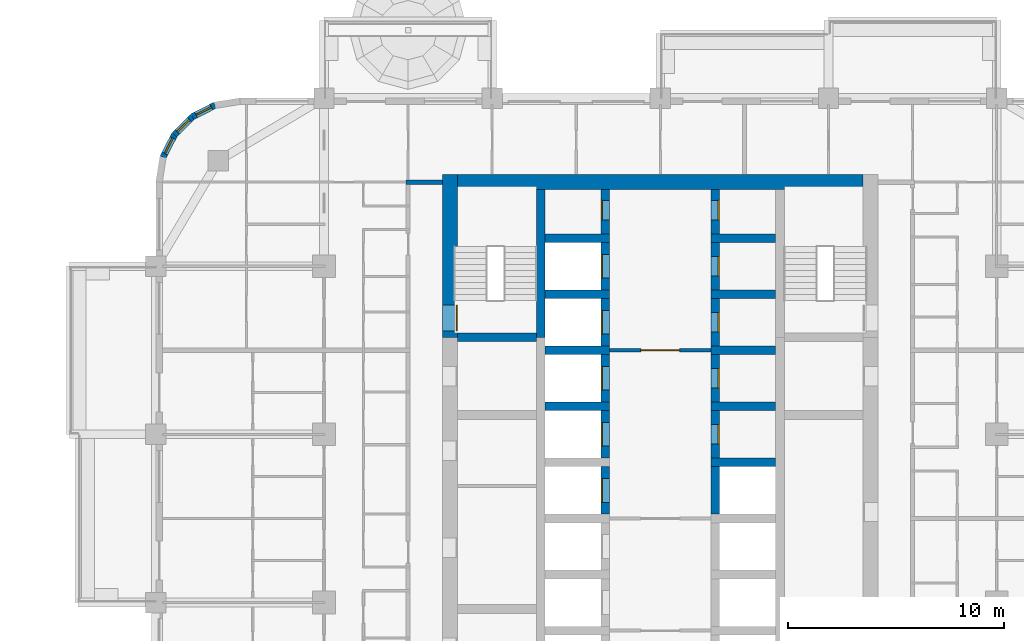
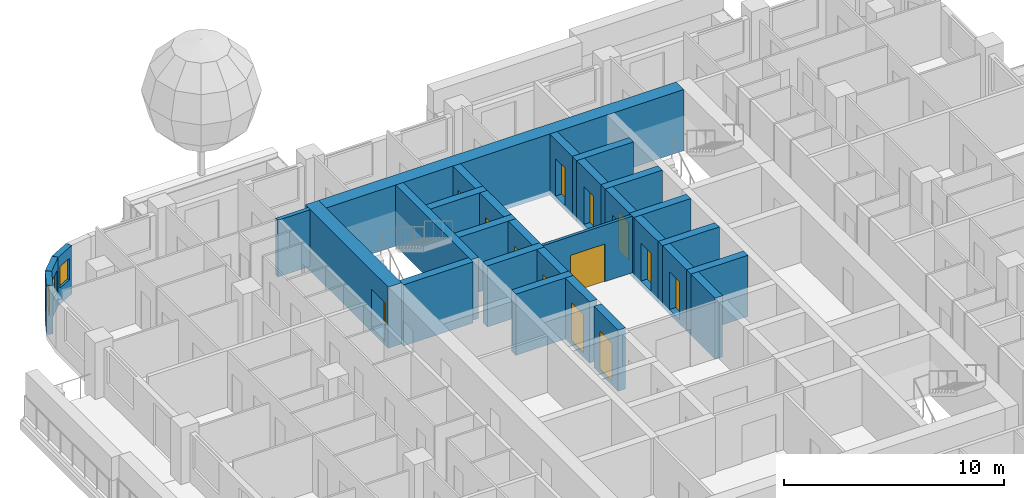
# One storey, part 11 of 19: 30 walls, 13 doors, 3 windows, 16 openings.
"""IFC4 building model written with IfcOpenShell, lengths in metres."""

from ifc_helpers import new_model, si_unit, direction, frame, frame_2d, origin, place, context, subcontext, project, spatial, rectangle, extrude, material, layer, layer_set, type_object, element, fill, save


model = new_model("IFC4")

# Units and contexts
model_context = context("Model", 3, precision=1e-05, world=origin(), true_north=direction((0.0, 1.0)))
body_context = subcontext(model_context, "Body", "Model", "MODEL_VIEW")
ifc_project = project(units=[si_unit("LENGTHUNIT", "METRE"), si_unit("AREAUNIT", "SQUARE_METRE"), si_unit("VOLUMEUNIT", "CUBIC_METRE"), si_unit("PLANEANGLEUNIT", "RADIAN"), si_unit("MASSUNIT", "GRAM", prefix="KILO")], contexts=[model_context])

# Site, building, storey
site_placement = place(None, origin())
site = spatial("IfcSite", under=ifc_project, at=site_placement, CompositionType="ELEMENT")
building_placement = place(site_placement, origin())
building = spatial("IfcBuilding", under=site, at=building_placement, Name="Ludao Terraces", CompositionType="ELEMENT")
storey_placement = place(building_placement, frame((0.0, 0.0, 81.800048828125)))
storey = spatial("IfcBuildingStorey", under=building, at=storey_placement, Name="L22", CompositionType="ELEMENT", Elevation=81.800048828125)

# Wall, opening, door
ifc_material_1 = material(Name="Concrete C70", Category="concrete")
ifc_layer_1 = layer(ifc_material_1, 0.699951171875)
ifc_layer_set_1 = layer_set([ifc_layer_1], Name="Core wall 700 C70")
wall_type_1 = type_object("IfcWallType", Name="Core wall 700 C70", PredefinedType="SOLIDWALL", material=ifc_layer_set_1)
wall_1_placement = place(storey_placement, frame((75.25, 77.300048828125, -0.25), z_axis=(0.0, 0.0, 1.0), x_axis=(0.0, 1.0, 0.0)))
wall_1 = element("IfcWall", 1, at=wall_1_placement, inside=storey, type_object=wall_type_1, Name="Core wall L22 outer-W-S1", PredefinedType="SOLIDWALL", context=body_context, shape_type="SweptSolid", body=[
    extrude(rectangle(XDim=7.550048828125, YDim=0.699951171875, at=frame_2d((3.77490234375, 0.0))), origin(), (0.0, 0.0, 1.0), 3.39990234375),
])
opening_1_placement = place(wall_1_placement, frame((0.300048828125, 0.0, 0.25)))
opening_1 = element("IfcOpeningElement", 2, at=opening_1_placement, cuts=wall_1, Name="Opening R06-131", PredefinedType="OPENING", context=body_context, shape_type="SweptSolid", body=[
    extrude(rectangle(XDim=1.199951171875, YDim=2.10009765625, at=frame_2d((0.60009765625, 1.050048828125))), frame((0.0, 0.35986328125, 0.0), z_axis=(0.0, -1.0, 0.0), x_axis=(1.0, 0.0, 0.0)), (0.0, 0.0, 1.0), 0.719970703125),
])
ifc_material_2 = material(Name="Steel Q235", Category="steel")
door_type_1 = type_object("IfcDoorType", Name="INT Stair door 1200", OperationType="DOUBLE_DOOR_SINGLE_SWING", PredefinedType="DOOR", material=ifc_material_2)
door_1_placement = place(opening_1_placement, origin())
door_1 = element("IfcDoor", 3, at=door_1_placement, inside=storey, type_object=door_type_1, Name="DOOR 131", OperationType="DOUBLE_DOOR_SINGLE_SWING", OverallHeight=2.10009765625, OverallWidth=1.199951171875, PredefinedType="DOOR", context=body_context, shape_type="SweptSolid", body=[
    extrude(rectangle(XDim=1.199951171875, YDim=2.10009765625, at=frame_2d((0.60009765625, 1.050048828125))), frame((0.0, -0.28515625, 0.0), z_axis=(0.0, -1.0, 0.0), x_axis=(1.0, 0.0, 0.0)), (0.0, 0.0, 1.0), 0.050048828125),
])
fill(opening_1, door_1)

# Wall
wall_2_placement = place(storey_placement, frame((75.60009765625, 84.5, -0.25), z_axis=(0.0, 0.0, 1.0), x_axis=(1.0, 0.0, 0.0)))
element("IfcWall", 4, at=wall_2_placement, inside=storey, type_object=wall_type_1, Name="Core wall L22 outer-N", PredefinedType="SOLIDWALL", context=body_context, shape_type="SweptSolid", body=[
    extrude(rectangle(XDim=18.7998046875, YDim=0.699951171875, at=frame_2d((9.39990234375, 0.0))), origin(), (0.0, 0.0, 1.0), 3.39990234375),
])

# Wall, opening, window
ifc_material_3 = material(Name="Granite cladding", Category="masonry")
ifc_layer_2 = layer(ifc_material_3, 0.0400390625, Category="stone")
ifc_material_4 = material(Name="Mineral wool")
ifc_layer_3 = layer(ifc_material_4, 0.06005859375)
ifc_material_5 = material(Name="Concrete C40", Category="concrete")
ifc_layer_4 = layer(ifc_material_5, 0.199951171875, Category="concrete")
ifc_layer_set_2 = layer_set([ifc_layer_2, ifc_layer_3, ifc_layer_4], Name="ENV Stone-clad wall 300")
wall_type_2 = type_object("IfcWallType", Name="ENV Stone-clad wall 300", PredefinedType="SOLIDWALL", material=ifc_layer_set_2)
wall_3_placement = place(storey_placement, frame((64.34130859375, 88.06640625, 0.0), z_axis=(0.0, 0.0, 1.0), x_axis=(-0.890988677504, -0.454025524128, 0.0)))
wall_3 = element("IfcWall", 5, at=wall_3_placement, inside=storey, type_object=wall_type_2, Name="EW-L22-NW2", PredefinedType="SOLIDWALL", context=body_context, shape_type="SweptSolid", body=[
    extrude(rectangle(XDim=1.17333984375, YDim=0.300048828125, at=frame_2d((0.586669921875, 0.0))), origin(), (0.0, 0.0, 1.0), 2.699951171875),
])
opening_2_placement = place(wall_3_placement, frame((0.1865234375, 0.0, 0.89990234375)))
opening_2 = element("IfcOpeningElement", 6, at=opening_2_placement, cuts=wall_3, Name="Opening W3", PredefinedType="OPENING", context=body_context, shape_type="SweptSolid", body=[
    extrude(rectangle(XDim=0.800048828125, YDim=1.199951171875, at=frame_2d((0.39990234375, 0.60009765625))), frame((0.0, 0.16015625, 0.0), z_axis=(0.0, -1.0, 0.0), x_axis=(1.0, 0.0, 0.0)), (0.0, 0.0, 1.0), 0.320068359375),
])
ifc_material_6 = material(Name="Clear glass in aluminium frame", Category="aluminium")
ifc_layer_5 = layer(ifc_material_6, 0.06005859375)
ifc_layer_set_3 = layer_set([ifc_layer_5], Name="ENV Window W3 800x1200")
window_type = type_object("IfcWindowType", Name="ENV Window W3 800x1200", PartitioningType="SINGLE_PANEL", PredefinedType="WINDOW", material=ifc_layer_set_3)
window_1_placement = place(opening_2_placement, origin())
window_1 = element("IfcWindow", 7, at=window_1_placement, inside=storey, type_object=window_type, Name="W-L22-NW2", OverallHeight=1.199951171875, OverallWidth=0.800048828125, PartitioningType="SINGLE_PANEL", PredefinedType="WINDOW", context=body_context, shape_type="SweptSolid", body=[
    extrude(rectangle(XDim=0.800048828125, YDim=1.199951171875, at=frame_2d((0.39990234375, 0.60009765625))), frame((0.0, 0.030029296875, 0.0), z_axis=(0.0, -1.0, 0.0), x_axis=(1.0, 0.0, 0.0)), (0.0, 0.0, 1.0), 0.06005859375),
])
fill(opening_2, window_1)

wall_4_placement = place(storey_placement, frame((63.2958984375, 87.53369140625, 0.0), z_axis=(0.0, 0.0, 1.0), x_axis=(-0.707106781187, -0.707106781187, 0.0)))
wall_4 = element("IfcWall", 8, at=wall_4_placement, inside=storey, type_object=wall_type_2, Name="EW-L22-NW3", PredefinedType="SOLIDWALL", context=body_context, shape_type="SweptSolid", body=[
    extrude(rectangle(XDim=1.173095703125, YDim=0.300048828125, at=frame_2d((0.58642578125, 0.0))), origin(), (0.0, 0.0, 1.0), 2.699951171875),
])
opening_3_placement = place(wall_4_placement, frame((0.1865234375, 0.0, 0.89990234375)))
opening_3 = element("IfcOpeningElement", 9, at=opening_3_placement, cuts=wall_4, Name="Opening W3", PredefinedType="OPENING", context=body_context, shape_type="SweptSolid", body=[
    extrude(rectangle(XDim=0.800048828125, YDim=1.199951171875, at=frame_2d((0.39990234375, 0.60009765625))), frame((0.0, 0.16015625, 0.0), z_axis=(0.0, -1.0, 0.0), x_axis=(1.0, 0.0, 0.0)), (0.0, 0.0, 1.0), 0.320068359375),
])
window_2_placement = place(opening_3_placement, origin())
window_2 = element("IfcWindow", 10, at=window_2_placement, inside=storey, type_object=window_type, Name="W-L22-NW3", OverallHeight=1.199951171875, OverallWidth=0.800048828125, PartitioningType="SINGLE_PANEL", PredefinedType="WINDOW", context=body_context, shape_type="SweptSolid", body=[
    extrude(rectangle(XDim=0.800048828125, YDim=1.199951171875, at=frame_2d((0.39990234375, 0.60009765625))), frame((0.0, 0.030029296875, 0.0), z_axis=(0.0, -1.0, 0.0), x_axis=(1.0, 0.0, 0.0)), (0.0, 0.0, 1.0), 0.06005859375),
])
fill(opening_3, window_2)

wall_5_placement = place(storey_placement, frame((62.46630859375, 86.7041015625, 0.0), z_axis=(0.0, 0.0, 1.0), x_axis=(-0.454025524128, -0.890988677504, 0.0)))
wall_5 = element("IfcWall", 11, at=wall_5_placement, inside=storey, type_object=wall_type_2, Name="EW-L22-NW4", PredefinedType="SOLIDWALL", context=body_context, shape_type="SweptSolid", body=[
    extrude(rectangle(XDim=1.17333984375, YDim=0.300048828125, at=frame_2d((0.586669921875, 0.0))), origin(), (0.0, 0.0, 1.0), 2.699951171875),
])
opening_4_placement = place(wall_5_placement, frame((0.1865234375, 0.0, 0.89990234375)))
opening_4 = element("IfcOpeningElement", 12, at=opening_4_placement, cuts=wall_5, Name="Opening W3", PredefinedType="OPENING", context=body_context, shape_type="SweptSolid", body=[
    extrude(rectangle(XDim=0.800048828125, YDim=1.199951171875, at=frame_2d((0.39990234375, 0.60009765625))), frame((0.0, 0.16015625, 0.0), z_axis=(0.0, -1.0, 0.0), x_axis=(1.0, 0.0, 0.0)), (0.0, 0.0, 1.0), 0.320068359375),
])
window_3_placement = place(opening_4_placement, origin())
window_3 = element("IfcWindow", 13, at=window_3_placement, inside=storey, type_object=window_type, Name="W-L22-NW4", OverallHeight=1.199951171875, OverallWidth=0.800048828125, PartitioningType="SINGLE_PANEL", PredefinedType="WINDOW", context=body_context, shape_type="SweptSolid", body=[
    extrude(rectangle(XDim=0.800048828125, YDim=1.199951171875, at=frame_2d((0.39990234375, 0.60009765625))), frame((0.0, 0.030029296875, 0.0), z_axis=(0.0, -1.0, 0.0), x_axis=(1.0, 0.0, 0.0)), (0.0, 0.0, 1.0), 0.06005859375),
])
fill(opening_4, window_3)

# Wall, opening, door
ifc_material_7 = material(Name="Fire-rated gypsum plasterboard", Category="gypsum")
ifc_layer_6 = layer(ifc_material_7, 0.012451171875, Category="gypsum")
ifc_layer_7 = layer(ifc_material_4, 0.10009765625, Name="insulation")
ifc_layer_8 = layer(ifc_material_2, 0.02490234375, Name="stud")
ifc_layer_9 = layer(ifc_material_7, 0.012451171875, Category="gypsum")
ifc_layer_set_4 = layer_set([ifc_layer_6, ifc_layer_7, ifc_layer_8, ifc_layer_9], Name="INT Core partition 150")
wall_type_3 = type_object("IfcWallType", Name="INT Core partition 150", PredefinedType="PARTITIONING", material=ifc_layer_set_4)
wall_6_placement = place(storey_placement, frame((82.650146484375, 76.699951171875, 0.0), z_axis=(0.0, 0.0, 1.0), x_axis=(1.0, 0.0, 0.0)))
wall_6 = element("IfcWall", 14, at=wall_6_placement, inside=storey, type_object=wall_type_3, Name="PW-L22-PW063", PredefinedType="PARTITIONING", context=body_context, shape_type="SweptSolid", body=[
    extrude(rectangle(XDim=4.699951171875, YDim=0.14990234375, at=frame_2d((2.35009765625, 0.0))), origin(), (0.0, 0.0, 1.0), 3.14990234375),
])
opening_5_placement = place(wall_6_placement, frame((1.449951171875, 0.0, 0.0)))
opening_5 = element("IfcOpeningElement", 15, at=opening_5_placement, cuts=wall_6, Name="Opening R06-126", PredefinedType="OPENING", context=body_context, shape_type="SweptSolid", body=[
    extrude(rectangle(XDim=1.800048828125, YDim=2.10009765625, at=frame_2d((0.89990234375, 1.050048828125))), frame((0.0, 0.0849609375, 0.0), z_axis=(0.0, -1.0, 0.0), x_axis=(1.0, 0.0, 0.0)), (0.0, 0.0, 1.0), 0.169921875),
])
door_type_2 = type_object("IfcDoorType", Name="INT Fire lobby door 1800", OperationType="DOUBLE_DOOR_SINGLE_SWING", PredefinedType="DOOR", material=ifc_material_2)
door_2_placement = place(opening_5_placement, origin())
door_2 = element("IfcDoor", 16, at=door_2_placement, inside=storey, type_object=door_type_2, Name="DOOR 126", OperationType="DOUBLE_DOOR_SINGLE_SWING", OverallHeight=2.10009765625, OverallWidth=1.800048828125, PredefinedType="DOOR", context=body_context, shape_type="SweptSolid", body=[
    extrude(rectangle(XDim=1.800048828125, YDim=2.10009765625, at=frame_2d((0.89990234375, 1.050048828125))), frame((0.0, 0.02490234375, 0.0), z_axis=(0.0, -1.0, 0.0), x_axis=(1.0, 0.0, 0.0)), (0.0, 0.0, 1.0), 0.050048828125),
])
fill(opening_5, door_2)

# Walls
ifc_material_8 = material(Name="Autoclaved aerated concrete block B06 A3.5", Category="concrete")
ifc_layer_10 = layer(ifc_material_8, 0.199951171875)
ifc_layer_set_5 = layer_set([ifc_layer_10], Name="INT Entrance wall 200")
wall_type_4 = type_object("IfcWallType", Name="INT Entrance wall 200", PredefinedType="PARTITIONING", material=ifc_layer_set_5)
wall_7_placement = place(storey_placement, frame((73.2001953125, 84.5, 0.0), z_axis=(0.0, 0.0, 1.0), x_axis=(1.0, 0.0, 0.0)))
element("IfcWall", 17, at=wall_7_placement, inside=storey, type_object=wall_type_4, Name="PW-L22-PW078", PredefinedType="PARTITIONING", context=body_context, shape_type="SweptSolid", body=[
    extrude(rectangle(XDim=1.699951171875, YDim=0.199951171875, at=frame_2d((0.85009765625, 0.0))), origin(), (0.0, 0.0, 1.0), 3.14990234375),
])
ifc_material_9 = material(Name="Concrete C60", Category="concrete")
ifc_layer_11 = layer(ifc_material_9, 0.39990234375)
ifc_layer_set_6 = layer_set([ifc_layer_11], Name="Shaft wall 400 C60")
wall_type_5 = type_object("IfcWallType", Name="Shaft wall 400 C60", PredefinedType="SOLIDWALL", material=ifc_layer_set_6)
wall_8_placement = place(storey_placement, frame((79.449951171875, 77.300048828125, -0.25), z_axis=(0.0, 0.0, 1.0), x_axis=(0.0, 1.0, 0.0)))
element("IfcWall", 18, at=wall_8_placement, inside=storey, type_object=wall_type_5, Name="Core wall L22 back-W-S1", PredefinedType="SOLIDWALL", context=body_context, shape_type="SweptSolid", body=[
    extrude(rectangle(XDim=6.849853515625, YDim=0.39990234375, at=frame_2d((3.4248046875, 0.0))), origin(), (0.0, 0.0, 1.0), 3.39990234375),
])

# Wall, opening, door
wall_9_placement = place(storey_placement, frame((82.449951171875, 69.10009765625, -0.25), z_axis=(0.0, 0.0, 1.0), x_axis=(0.0, 1.0, 0.0)))
wall_9 = element("IfcWall", 19, at=wall_9_placement, inside=storey, type_object=wall_type_5, Name="Core wall L22 front-W4", PredefinedType="SOLIDWALL", context=body_context, shape_type="SweptSolid", body=[
    extrude(rectangle(XDim=2.199951171875, YDim=0.39990234375, at=frame_2d((1.10009765625, 0.0))), origin(), (0.0, 0.0, 1.0), 3.39990234375),
])
opening_6_placement = place(wall_9_placement, frame((0.550048828125, 0.0, 0.25)))
opening_6 = element("IfcOpeningElement", 20, at=opening_6_placement, cuts=wall_9, Name="Opening LD-LA4", PredefinedType="OPENING", context=body_context, shape_type="SweptSolid", body=[
    extrude(rectangle(XDim=1.10009765625, YDim=2.10009765625, at=frame_2d((0.550048828125, 1.050048828125))), frame((0.0, 0.2099609375, 0.0), z_axis=(0.0, -1.0, 0.0), x_axis=(1.0, 0.0, 0.0)), (0.0, 0.0, 1.0), 0.419921875),
])
ifc_material_10 = material(Name="Stainless steel 304", Category="steel")
door_type_3 = type_object("IfcDoorType", Name="INT Lift landing door 1100", OperationType="SLIDING_TO_LEFT", PredefinedType="DOOR", material=ifc_material_10)
door_3_placement = place(opening_6_placement, origin())
door_3 = element("IfcDoor", 21, at=door_3_placement, inside=storey, type_object=door_type_3, Name="LANDING DOOR LA4 L22", OperationType="SLIDING_TO_LEFT", OverallHeight=2.10009765625, OverallWidth=1.10009765625, PredefinedType="DOOR", context=body_context, shape_type="SweptSolid", body=[
    extrude(rectangle(XDim=1.10009765625, YDim=2.10009765625, at=frame_2d((0.550048828125, 1.050048828125))), frame((0.0, 0.18505859375, 0.0), z_axis=(0.0, -1.0, 0.0), x_axis=(1.0, 0.0, 0.0)), (0.0, 0.0, 1.0), 0.050048828125),
])
fill(opening_6, door_3)

wall_10_placement = place(storey_placement, frame((82.449951171875, 71.699951171875, -0.25), z_axis=(0.0, 0.0, 1.0), x_axis=(0.0, 1.0, 0.0)))
wall_10 = element("IfcWall", 22, at=wall_10_placement, inside=storey, type_object=wall_type_5, Name="Core wall L22 front-W5", PredefinedType="SOLIDWALL", context=body_context, shape_type="SweptSolid", body=[
    extrude(rectangle(XDim=2.199951171875, YDim=0.39990234375, at=frame_2d((1.10009765625, 0.0))), origin(), (0.0, 0.0, 1.0), 3.39990234375),
])
opening_7_placement = place(wall_10_placement, frame((0.550048828125, 0.0, 0.25)))
opening_7 = element("IfcOpeningElement", 23, at=opening_7_placement, cuts=wall_10, Name="Opening LD-LA5", PredefinedType="OPENING", context=body_context, shape_type="SweptSolid", body=[
    extrude(rectangle(XDim=1.10009765625, YDim=2.10009765625, at=frame_2d((0.550048828125, 1.050048828125))), frame((0.0, 0.2099609375, 0.0), z_axis=(0.0, -1.0, 0.0), x_axis=(1.0, 0.0, 0.0)), (0.0, 0.0, 1.0), 0.419921875),
])
door_4_placement = place(opening_7_placement, origin())
door_4 = element("IfcDoor", 24, at=door_4_placement, inside=storey, type_object=door_type_3, Name="LANDING DOOR LA5 L22", OperationType="SLIDING_TO_LEFT", OverallHeight=2.10009765625, OverallWidth=1.10009765625, PredefinedType="DOOR", context=body_context, shape_type="SweptSolid", body=[
    extrude(rectangle(XDim=1.10009765625, YDim=2.10009765625, at=frame_2d((0.550048828125, 1.050048828125))), frame((0.0, 0.18505859375, 0.0), z_axis=(0.0, -1.0, 0.0), x_axis=(1.0, 0.0, 0.0)), (0.0, 0.0, 1.0), 0.050048828125),
])
fill(opening_7, door_4)

# Wall
wall_11_placement = place(storey_placement, frame((79.64990234375, 74.10009765625, -0.25), z_axis=(0.0, 0.0, 1.0), x_axis=(1.0, 0.0, 0.0)))
element("IfcWall", 25, at=wall_11_placement, inside=storey, type_object=wall_type_5, Name="Core wall L22 div-W6", PredefinedType="SOLIDWALL", context=body_context, shape_type="SweptSolid", body=[
    extrude(rectangle(XDim=3.0, YDim=0.39990234375, at=frame_2d((1.5, 0.0))), origin(), (0.0, 0.0, 1.0), 3.39990234375),
])

# Wall, opening, door
wall_12_placement = place(storey_placement, frame((82.449951171875, 74.300048828125, -0.25), z_axis=(0.0, 0.0, 1.0), x_axis=(0.0, 1.0, 0.0)))
wall_12 = element("IfcWall", 26, at=wall_12_placement, inside=storey, type_object=wall_type_5, Name="Core wall L22 front-W6", PredefinedType="SOLIDWALL", context=body_context, shape_type="SweptSolid", body=[
    extrude(rectangle(XDim=2.199951171875, YDim=0.39990234375, at=frame_2d((1.10009765625, 0.0))), origin(), (0.0, 0.0, 1.0), 3.39990234375),
])
opening_8_placement = place(wall_12_placement, frame((0.550048828125, 0.0, 0.25)))
opening_8 = element("IfcOpeningElement", 27, at=opening_8_placement, cuts=wall_12, Name="Opening LD-LA6", PredefinedType="OPENING", context=body_context, shape_type="SweptSolid", body=[
    extrude(rectangle(XDim=1.10009765625, YDim=2.10009765625, at=frame_2d((0.550048828125, 1.050048828125))), frame((0.0, 0.2099609375, 0.0), z_axis=(0.0, -1.0, 0.0), x_axis=(1.0, 0.0, 0.0)), (0.0, 0.0, 1.0), 0.419921875),
])
door_5_placement = place(opening_8_placement, origin())
door_5 = element("IfcDoor", 28, at=door_5_placement, inside=storey, type_object=door_type_3, Name="LANDING DOOR LA6 L22", OperationType="SLIDING_TO_LEFT", OverallHeight=2.10009765625, OverallWidth=1.10009765625, PredefinedType="DOOR", context=body_context, shape_type="SweptSolid", body=[
    extrude(rectangle(XDim=1.10009765625, YDim=2.10009765625, at=frame_2d((0.550048828125, 1.050048828125))), frame((0.0, 0.18505859375, 0.0), z_axis=(0.0, -1.0, 0.0), x_axis=(1.0, 0.0, 0.0)), (0.0, 0.0, 1.0), 0.050048828125),
])
fill(opening_8, door_5)

# Wall
wall_13_placement = place(storey_placement, frame((79.64990234375, 76.699951171875, -0.25), z_axis=(0.0, 0.0, 1.0), x_axis=(1.0, 0.0, 0.0)))
element("IfcWall", 29, at=wall_13_placement, inside=storey, type_object=wall_type_5, Name="Core wall L22 div-W7", PredefinedType="SOLIDWALL", context=body_context, shape_type="SweptSolid", body=[
    extrude(rectangle(XDim=3.0, YDim=0.39990234375, at=frame_2d((1.5, 0.0))), origin(), (0.0, 0.0, 1.0), 3.39990234375),
])

# Wall, opening, door
wall_14_placement = place(storey_placement, frame((82.449951171875, 76.89990234375, -0.25), z_axis=(0.0, 0.0, 1.0), x_axis=(0.0, 1.0, 0.0)))
wall_14 = element("IfcWall", 30, at=wall_14_placement, inside=storey, type_object=wall_type_5, Name="Core wall L22 front-W7", PredefinedType="SOLIDWALL", context=body_context, shape_type="SweptSolid", body=[
    extrude(rectangle(XDim=2.2001953125, YDim=0.39990234375, at=frame_2d((1.10009765625, 0.0))), origin(), (0.0, 0.0, 1.0), 3.39990234375),
])
opening_9_placement = place(wall_14_placement, frame((0.550048828125, 0.0, 0.25)))
opening_9 = element("IfcOpeningElement", 31, at=opening_9_placement, cuts=wall_14, Name="Opening LD-FF1", PredefinedType="OPENING", context=body_context, shape_type="SweptSolid", body=[
    extrude(rectangle(XDim=1.10009765625, YDim=2.10009765625, at=frame_2d((0.550048828125, 1.050048828125))), frame((0.0, 0.2099609375, 0.0), z_axis=(0.0, -1.0, 0.0), x_axis=(1.0, 0.0, 0.0)), (0.0, 0.0, 1.0), 0.419921875),
])
door_6_placement = place(opening_9_placement, origin())
door_6 = element("IfcDoor", 32, at=door_6_placement, inside=storey, type_object=door_type_3, Name="LANDING DOOR FF1 L22", OperationType="SLIDING_TO_LEFT", OverallHeight=2.10009765625, OverallWidth=1.10009765625, PredefinedType="DOOR", context=body_context, shape_type="SweptSolid", body=[
    extrude(rectangle(XDim=1.10009765625, YDim=2.10009765625, at=frame_2d((0.550048828125, 1.050048828125))), frame((0.0, 0.18505859375, 0.0), z_axis=(0.0, -1.0, 0.0), x_axis=(1.0, 0.0, 0.0)), (0.0, 0.0, 1.0), 0.050048828125),
])
fill(opening_9, door_6)

# Wall
wall_15_placement = place(storey_placement, frame((79.64990234375, 79.300048828125, -0.25), z_axis=(0.0, 0.0, 1.0), x_axis=(1.0, 0.0, 0.0)))
element("IfcWall", 33, at=wall_15_placement, inside=storey, type_object=wall_type_5, Name="Core wall L22 div-W8", PredefinedType="SOLIDWALL", context=body_context, shape_type="SweptSolid", body=[
    extrude(rectangle(XDim=3.0, YDim=0.39990234375, at=frame_2d((1.5, 0.0))), origin(), (0.0, 0.0, 1.0), 3.39990234375),
])

# Wall, opening, door
wall_16_placement = place(storey_placement, frame((82.449951171875, 79.5, -0.25), z_axis=(0.0, 0.0, 1.0), x_axis=(0.0, 1.0, 0.0)))
wall_16 = element("IfcWall", 34, at=wall_16_placement, inside=storey, type_object=wall_type_5, Name="Core wall L22 front-W8", PredefinedType="SOLIDWALL", context=body_context, shape_type="SweptSolid", body=[
    extrude(rectangle(XDim=2.199951171875, YDim=0.39990234375, at=frame_2d((1.10009765625, 0.0))), origin(), (0.0, 0.0, 1.0), 3.39990234375),
])
opening_10_placement = place(wall_16_placement, frame((0.550048828125, 0.0, 0.25)))
opening_10 = element("IfcOpeningElement", 35, at=opening_10_placement, cuts=wall_16, Name="Opening LD-FF2", PredefinedType="OPENING", context=body_context, shape_type="SweptSolid", body=[
    extrude(rectangle(XDim=1.10009765625, YDim=2.10009765625, at=frame_2d((0.550048828125, 1.050048828125))), frame((0.0, 0.2099609375, 0.0), z_axis=(0.0, -1.0, 0.0), x_axis=(1.0, 0.0, 0.0)), (0.0, 0.0, 1.0), 0.419921875),
])
door_7_placement = place(opening_10_placement, origin())
door_7 = element("IfcDoor", 36, at=door_7_placement, inside=storey, type_object=door_type_3, Name="LANDING DOOR FF2 L22", OperationType="SLIDING_TO_LEFT", OverallHeight=2.10009765625, OverallWidth=1.10009765625, PredefinedType="DOOR", context=body_context, shape_type="SweptSolid", body=[
    extrude(rectangle(XDim=1.10009765625, YDim=2.10009765625, at=frame_2d((0.550048828125, 1.050048828125))), frame((0.0, 0.18505859375, 0.0), z_axis=(0.0, -1.0, 0.0), x_axis=(1.0, 0.0, 0.0)), (0.0, 0.0, 1.0), 0.050048828125),
])
fill(opening_10, door_7)

# Wall
wall_17_placement = place(storey_placement, frame((79.64990234375, 81.89990234375, -0.25), z_axis=(0.0, 0.0, 1.0), x_axis=(1.0, 0.0, 0.0)))
element("IfcWall", 37, at=wall_17_placement, inside=storey, type_object=wall_type_5, Name="Core wall L22 div-W9", PredefinedType="SOLIDWALL", context=body_context, shape_type="SweptSolid", body=[
    extrude(rectangle(XDim=3.0, YDim=0.39990234375, at=frame_2d((1.5, 0.0))), origin(), (0.0, 0.0, 1.0), 3.39990234375),
])

# Wall, opening, door
wall_18_placement = place(storey_placement, frame((82.449951171875, 82.10009765625, -0.25), z_axis=(0.0, 0.0, 1.0), x_axis=(0.0, 1.0, 0.0)))
wall_18 = element("IfcWall", 38, at=wall_18_placement, inside=storey, type_object=wall_type_5, Name="Core wall L22 front-W9", PredefinedType="SOLIDWALL", context=body_context, shape_type="SweptSolid", body=[
    extrude(rectangle(XDim=2.0498046875, YDim=0.39990234375, at=frame_2d((1.02490234375, 0.0))), origin(), (0.0, 0.0, 1.0), 3.39990234375),
])
opening_11_placement = place(wall_18_placement, frame((0.64990234375, 0.0, 0.25)))
opening_11 = element("IfcOpeningElement", 39, at=opening_11_placement, cuts=wall_18, Name="Opening R06-146", PredefinedType="OPENING", context=body_context, shape_type="SweptSolid", body=[
    extrude(rectangle(XDim=0.89990234375, YDim=2.10009765625, at=frame_2d((0.449951171875, 1.050048828125))), frame((0.0, 0.2099609375, 0.0), z_axis=(0.0, -1.0, 0.0), x_axis=(1.0, 0.0, 0.0)), (0.0, 0.0, 1.0), 0.419921875),
])
ifc_material_11 = material(Name="Timber door leaf", Category="wood")
door_type_4 = type_object("IfcDoorType", Name="INT Room door 900", OperationType="SINGLE_SWING_LEFT", PredefinedType="DOOR", material=ifc_material_11)
door_8_placement = place(opening_11_placement, origin())
door_8 = element("IfcDoor", 40, at=door_8_placement, inside=storey, type_object=door_type_4, Name="DOOR 146", OperationType="SINGLE_SWING_RIGHT", OverallHeight=2.10009765625, OverallWidth=0.89990234375, PredefinedType="DOOR", context=body_context, shape_type="SweptSolid", body=[
    extrude(rectangle(XDim=0.89990234375, YDim=2.10009765625, at=frame_2d((0.449951171875, 1.050048828125))), frame((0.0, 0.18505859375, 0.0), z_axis=(0.0, -1.0, 0.0), x_axis=(1.0, 0.0, 0.0)), (0.0, 0.0, 1.0), 0.050048828125),
])
fill(opening_11, door_8)

# Walls
wall_19_placement = place(storey_placement, frame((87.550048828125, 69.10009765625, -0.25), z_axis=(0.0, 0.0, 1.0), x_axis=(0.0, 1.0, 0.0)))
element("IfcWall", 41, at=wall_19_placement, inside=storey, type_object=wall_type_5, Name="Core wall L22 front-E4", PredefinedType="SOLIDWALL", context=body_context, shape_type="SweptSolid", body=[
    extrude(rectangle(XDim=2.199951171875, YDim=0.39990234375, at=frame_2d((1.10009765625, 0.0))), origin(), (0.0, 0.0, 1.0), 3.39990234375),
])
wall_20_placement = place(storey_placement, frame((87.35009765625, 71.5, -0.25), z_axis=(0.0, 0.0, 1.0), x_axis=(1.0, 0.0, 0.0)))
element("IfcWall", 42, at=wall_20_placement, inside=storey, type_object=wall_type_5, Name="Core wall L22 div-E5", PredefinedType="SOLIDWALL", context=body_context, shape_type="SweptSolid", body=[
    extrude(rectangle(XDim=3.0, YDim=0.39990234375, at=frame_2d((1.5, 0.0))), origin(), (0.0, 0.0, 1.0), 3.39990234375),
])

# Wall, opening, door
wall_21_placement = place(storey_placement, frame((87.550048828125, 71.699951171875, -0.25), z_axis=(0.0, 0.0, 1.0), x_axis=(0.0, 1.0, 0.0)))
wall_21 = element("IfcWall", 43, at=wall_21_placement, inside=storey, type_object=wall_type_5, Name="Core wall L22 front-E5", PredefinedType="SOLIDWALL", context=body_context, shape_type="SweptSolid", body=[
    extrude(rectangle(XDim=2.199951171875, YDim=0.39990234375, at=frame_2d((1.10009765625, 0.0))), origin(), (0.0, 0.0, 1.0), 3.39990234375),
])
opening_12_placement = place(wall_21_placement, frame((0.64990234375, 0.0, 0.25)))
opening_12 = element("IfcOpeningElement", 44, at=opening_12_placement, cuts=wall_21, Name="Opening R06-111", PredefinedType="OPENING", context=body_context, shape_type="SweptSolid", body=[
    extrude(rectangle(XDim=0.89990234375, YDim=2.10009765625, at=frame_2d((0.449951171875, 1.050048828125))), frame((0.0, 0.2099609375, 0.0), z_axis=(0.0, -1.0, 0.0), x_axis=(1.0, 0.0, 0.0)), (0.0, 0.0, 1.0), 0.419921875),
])
door_9_placement = place(opening_12_placement, origin())
door_9 = element("IfcDoor", 45, at=door_9_placement, inside=storey, type_object=door_type_4, Name="DOOR 111", OperationType="SINGLE_SWING_RIGHT", OverallHeight=2.10009765625, OverallWidth=0.89990234375, PredefinedType="DOOR", context=body_context, shape_type="SweptSolid", body=[
    extrude(rectangle(XDim=0.89990234375, YDim=2.10009765625, at=frame_2d((0.449951171875, 1.050048828125))), frame((0.0, -0.134765625, 0.0), z_axis=(0.0, -1.0, 0.0), x_axis=(1.0, 0.0, 0.0)), (0.0, 0.0, 1.0), 0.050048828125),
])
fill(opening_12, door_9)

# Wall
wall_22_placement = place(storey_placement, frame((87.35009765625, 74.10009765625, -0.25), z_axis=(0.0, 0.0, 1.0), x_axis=(1.0, 0.0, 0.0)))
element("IfcWall", 46, at=wall_22_placement, inside=storey, type_object=wall_type_5, Name="Core wall L22 div-E6", PredefinedType="SOLIDWALL", context=body_context, shape_type="SweptSolid", body=[
    extrude(rectangle(XDim=3.0, YDim=0.39990234375, at=frame_2d((1.5, 0.0))), origin(), (0.0, 0.0, 1.0), 3.39990234375),
])

# Wall, opening, door
wall_23_placement = place(storey_placement, frame((87.550048828125, 74.300048828125, -0.25), z_axis=(0.0, 0.0, 1.0), x_axis=(0.0, 1.0, 0.0)))
wall_23 = element("IfcWall", 47, at=wall_23_placement, inside=storey, type_object=wall_type_5, Name="Core wall L22 front-E6", PredefinedType="SOLIDWALL", context=body_context, shape_type="SweptSolid", body=[
    extrude(rectangle(XDim=2.199951171875, YDim=0.39990234375, at=frame_2d((1.10009765625, 0.0))), origin(), (0.0, 0.0, 1.0), 3.39990234375),
])
opening_13_placement = place(wall_23_placement, frame((0.64990234375, 0.0, 0.25)))
opening_13 = element("IfcOpeningElement", 48, at=opening_13_placement, cuts=wall_23, Name="Opening R06-119", PredefinedType="OPENING", context=body_context, shape_type="SweptSolid", body=[
    extrude(rectangle(XDim=0.89990234375, YDim=2.10009765625, at=frame_2d((0.449951171875, 1.050048828125))), frame((0.0, 0.2099609375, 0.0), z_axis=(0.0, -1.0, 0.0), x_axis=(1.0, 0.0, 0.0)), (0.0, 0.0, 1.0), 0.419921875),
])
door_10_placement = place(opening_13_placement, origin())
door_10 = element("IfcDoor", 49, at=door_10_placement, inside=storey, type_object=door_type_4, Name="DOOR 119", OperationType="SINGLE_SWING_LEFT", OverallHeight=2.10009765625, OverallWidth=0.89990234375, PredefinedType="DOOR", context=body_context, shape_type="SweptSolid", body=[
    extrude(rectangle(XDim=0.89990234375, YDim=2.10009765625, at=frame_2d((0.449951171875, 1.050048828125))), frame((0.0, -0.134765625, 0.0), z_axis=(0.0, -1.0, 0.0), x_axis=(1.0, 0.0, 0.0)), (0.0, 0.0, 1.0), 0.050048828125),
])
fill(opening_13, door_10)

# Wall
wall_24_placement = place(storey_placement, frame((87.35009765625, 76.699951171875, -0.25), z_axis=(0.0, 0.0, 1.0), x_axis=(1.0, 0.0, 0.0)))
element("IfcWall", 50, at=wall_24_placement, inside=storey, type_object=wall_type_5, Name="Core wall L22 div-E7", PredefinedType="SOLIDWALL", context=body_context, shape_type="SweptSolid", body=[
    extrude(rectangle(XDim=3.0, YDim=0.39990234375, at=frame_2d((1.5, 0.0))), origin(), (0.0, 0.0, 1.0), 3.39990234375),
])

# Wall, opening, door
wall_25_placement = place(storey_placement, frame((87.550048828125, 76.89990234375, -0.25), z_axis=(0.0, 0.0, 1.0), x_axis=(0.0, 1.0, 0.0)))
wall_25 = element("IfcWall", 51, at=wall_25_placement, inside=storey, type_object=wall_type_5, Name="Core wall L22 front-E7", PredefinedType="SOLIDWALL", context=body_context, shape_type="SweptSolid", body=[
    extrude(rectangle(XDim=2.2001953125, YDim=0.39990234375, at=frame_2d((1.10009765625, 0.0))), origin(), (0.0, 0.0, 1.0), 3.39990234375),
])
opening_14_placement = place(wall_25_placement, frame((0.64990234375, 0.0, 0.25)))
opening_14 = element("IfcOpeningElement", 52, at=opening_14_placement, cuts=wall_25, Name="Opening R06-130", PredefinedType="OPENING", context=body_context, shape_type="SweptSolid", body=[
    extrude(rectangle(XDim=0.89990234375, YDim=2.10009765625, at=frame_2d((0.449951171875, 1.050048828125))), frame((0.0, 0.2099609375, 0.0), z_axis=(0.0, -1.0, 0.0), x_axis=(1.0, 0.0, 0.0)), (0.0, 0.0, 1.0), 0.419921875),
])
door_11_placement = place(opening_14_placement, origin())
door_11 = element("IfcDoor", 53, at=door_11_placement, inside=storey, type_object=door_type_4, Name="DOOR 130", OperationType="SINGLE_SWING_RIGHT", OverallHeight=2.10009765625, OverallWidth=0.89990234375, PredefinedType="DOOR", context=body_context, shape_type="SweptSolid", body=[
    extrude(rectangle(XDim=0.89990234375, YDim=2.10009765625, at=frame_2d((0.449951171875, 1.050048828125))), frame((0.0, -0.134765625, 0.0), z_axis=(0.0, -1.0, 0.0), x_axis=(1.0, 0.0, 0.0)), (0.0, 0.0, 1.0), 0.050048828125),
])
fill(opening_14, door_11)

# Wall
wall_26_placement = place(storey_placement, frame((87.35009765625, 79.300048828125, -0.25), z_axis=(0.0, 0.0, 1.0), x_axis=(1.0, 0.0, 0.0)))
element("IfcWall", 54, at=wall_26_placement, inside=storey, type_object=wall_type_5, Name="Core wall L22 div-E8", PredefinedType="SOLIDWALL", context=body_context, shape_type="SweptSolid", body=[
    extrude(rectangle(XDim=3.0, YDim=0.39990234375, at=frame_2d((1.5, 0.0))), origin(), (0.0, 0.0, 1.0), 3.39990234375),
])

# Wall, opening, door
wall_27_placement = place(storey_placement, frame((87.550048828125, 79.5, -0.25), z_axis=(0.0, 0.0, 1.0), x_axis=(0.0, 1.0, 0.0)))
wall_27 = element("IfcWall", 55, at=wall_27_placement, inside=storey, type_object=wall_type_5, Name="Core wall L22 front-E8", PredefinedType="SOLIDWALL", context=body_context, shape_type="SweptSolid", body=[
    extrude(rectangle(XDim=2.199951171875, YDim=0.39990234375, at=frame_2d((1.10009765625, 0.0))), origin(), (0.0, 0.0, 1.0), 3.39990234375),
])
opening_15_placement = place(wall_27_placement, frame((0.64990234375, 0.0, 0.25)))
opening_15 = element("IfcOpeningElement", 56, at=opening_15_placement, cuts=wall_27, Name="Opening R06-140", PredefinedType="OPENING", context=body_context, shape_type="SweptSolid", body=[
    extrude(rectangle(XDim=0.89990234375, YDim=2.10009765625, at=frame_2d((0.449951171875, 1.050048828125))), frame((0.0, 0.2099609375, 0.0), z_axis=(0.0, -1.0, 0.0), x_axis=(1.0, 0.0, 0.0)), (0.0, 0.0, 1.0), 0.419921875),
])
door_12_placement = place(opening_15_placement, origin())
door_12 = element("IfcDoor", 57, at=door_12_placement, inside=storey, type_object=door_type_4, Name="DOOR 140", OperationType="SINGLE_SWING_RIGHT", OverallHeight=2.10009765625, OverallWidth=0.89990234375, PredefinedType="DOOR", context=body_context, shape_type="SweptSolid", body=[
    extrude(rectangle(XDim=0.89990234375, YDim=2.10009765625, at=frame_2d((0.449951171875, 1.050048828125))), frame((0.0, -0.134765625, 0.0), z_axis=(0.0, -1.0, 0.0), x_axis=(1.0, 0.0, 0.0)), (0.0, 0.0, 1.0), 0.050048828125),
])
fill(opening_15, door_12)

# Wall
wall_28_placement = place(storey_placement, frame((87.35009765625, 81.89990234375, -0.25), z_axis=(0.0, 0.0, 1.0), x_axis=(1.0, 0.0, 0.0)))
element("IfcWall", 58, at=wall_28_placement, inside=storey, type_object=wall_type_5, Name="Core wall L22 div-E9", PredefinedType="SOLIDWALL", context=body_context, shape_type="SweptSolid", body=[
    extrude(rectangle(XDim=3.0, YDim=0.39990234375, at=frame_2d((1.5, 0.0))), origin(), (0.0, 0.0, 1.0), 3.39990234375),
])

# Wall, opening, door
wall_29_placement = place(storey_placement, frame((87.550048828125, 82.10009765625, -0.25), z_axis=(0.0, 0.0, 1.0), x_axis=(0.0, 1.0, 0.0)))
wall_29 = element("IfcWall", 59, at=wall_29_placement, inside=storey, type_object=wall_type_5, Name="Core wall L22 front-E9", PredefinedType="SOLIDWALL", context=body_context, shape_type="SweptSolid", body=[
    extrude(rectangle(XDim=2.0498046875, YDim=0.39990234375, at=frame_2d((1.02490234375, 0.0))), origin(), (0.0, 0.0, 1.0), 3.39990234375),
])
opening_16_placement = place(wall_29_placement, frame((0.64990234375, 0.0, 0.25)))
opening_16 = element("IfcOpeningElement", 60, at=opening_16_placement, cuts=wall_29, Name="Opening R06-147", PredefinedType="OPENING", context=body_context, shape_type="SweptSolid", body=[
    extrude(rectangle(XDim=0.89990234375, YDim=2.10009765625, at=frame_2d((0.449951171875, 1.050048828125))), frame((0.0, 0.2099609375, 0.0), z_axis=(0.0, -1.0, 0.0), x_axis=(1.0, 0.0, 0.0)), (0.0, 0.0, 1.0), 0.419921875),
])
door_13_placement = place(opening_16_placement, origin())
door_13 = element("IfcDoor", 61, at=door_13_placement, inside=storey, type_object=door_type_4, Name="DOOR 147", OperationType="SINGLE_SWING_LEFT", OverallHeight=2.10009765625, OverallWidth=0.89990234375, PredefinedType="DOOR", context=body_context, shape_type="SweptSolid", body=[
    extrude(rectangle(XDim=0.89990234375, YDim=2.10009765625, at=frame_2d((0.449951171875, 1.050048828125))), frame((0.0, -0.134765625, 0.0), z_axis=(0.0, -1.0, 0.0), x_axis=(1.0, 0.0, 0.0)), (0.0, 0.0, 1.0), 0.050048828125),
])
fill(opening_16, door_13)

# Wall
wall_30_placement = place(storey_placement, frame((75.60009765625, 77.300048828125, -0.25), z_axis=(0.0, 0.0, 1.0), x_axis=(1.0, 0.0, 0.0)))
element("IfcWall", 62, at=wall_30_placement, inside=storey, type_object=wall_type_5, Name="Core wall L22 stair-W", PredefinedType="SOLIDWALL", context=body_context, shape_type="SweptSolid", body=[
    extrude(rectangle(XDim=3.64990234375, YDim=0.39990234375, at=frame_2d((1.824951171875, 0.0))), origin(), (0.0, 0.0, 1.0), 3.39990234375),
])

save(model, "model.ifc")
